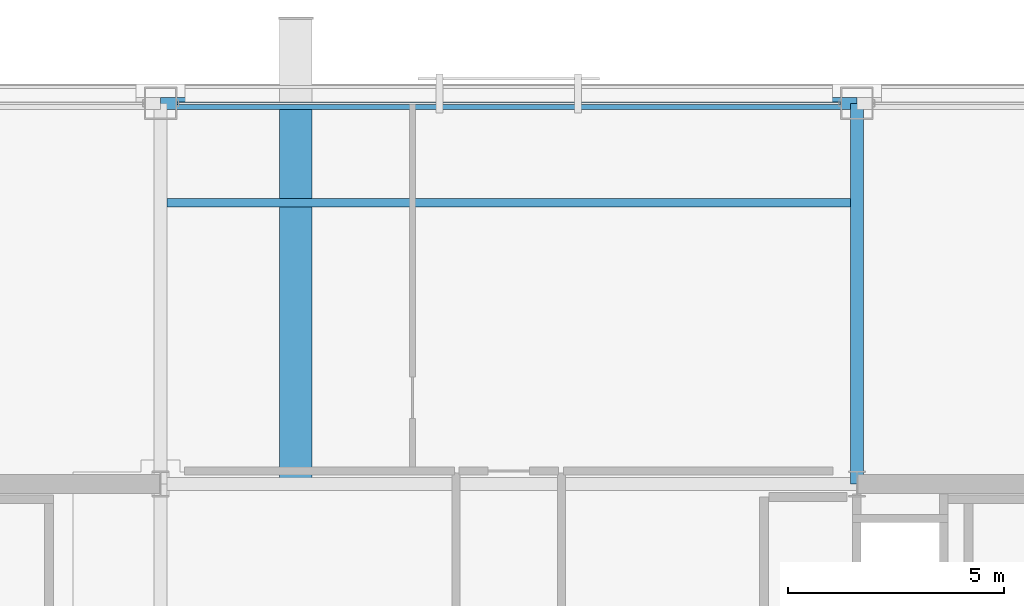
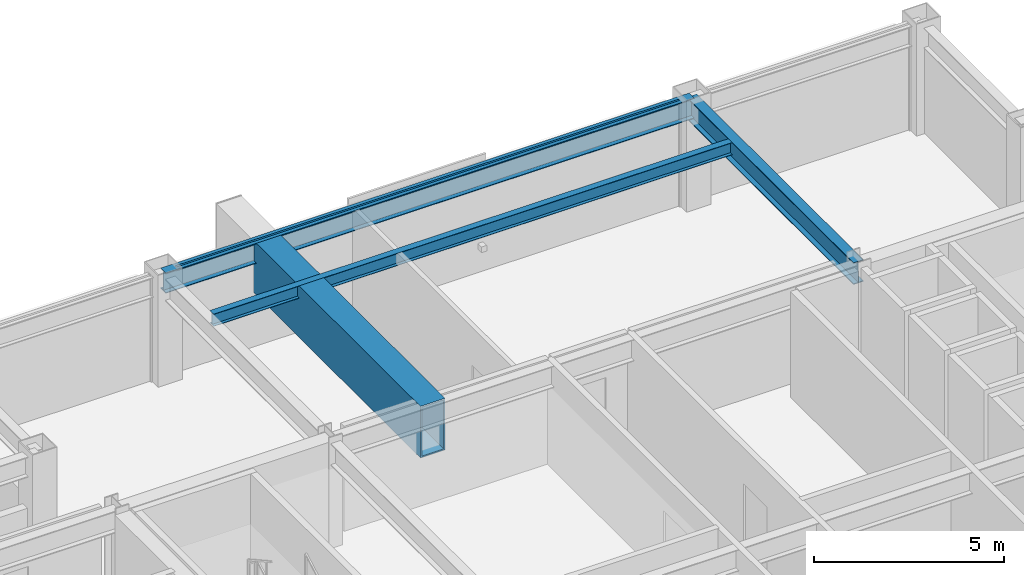
# One storey, part 20 of 28: 4 beams, 1 member, 1 element without a shape of its own.
"""IFC4 building model written with IfcOpenShell, lengths in metres."""

from ifc_helpers import new_model, si_unit, direction, frame, origin, origin_2d, place, context, subcontext, project, spatial, hollow_rectangle, i_section, extrude, material, layer, layer_set, material_profile, profile_set, type_object, element, aggregate, save


model = new_model("IFC4")

# Units and contexts
model_context = context("Model", 3, precision=1e-05, world=origin(), true_north=direction((0.0, 1.0)))
body_context = subcontext(model_context, "Body", "Model", "MODEL_VIEW")
ifc_project = project(units=[si_unit("LENGTHUNIT", "METRE"), si_unit("AREAUNIT", "SQUARE_METRE"), si_unit("VOLUMEUNIT", "CUBIC_METRE"), si_unit("PLANEANGLEUNIT", "RADIAN"), si_unit("MASSUNIT", "GRAM", prefix="KILO")], contexts=[model_context])

# Site, building, storey
site_placement = place(None, origin())
site = spatial("IfcSite", under=ifc_project, at=site_placement, CompositionType="ELEMENT")
building_placement = place(site_placement, origin())
building = spatial("IfcBuilding", under=site, at=building_placement, Name="Brelmoor Portico Tower", CompositionType="ELEMENT")
storey_placement = place(building_placement, frame((0.0, 0.0, 155.10009765625)))
storey = spatial("IfcBuildingStorey", under=building, at=storey_placement, Name="L40", CompositionType="ELEMENT", Elevation=155.10009765625)

# Beams
ifc_material_1 = material(Name="Steel Q355B", Category="steel")
ifc_material_profile_1 = material_profile(ifc_material_1, i_section(OverallWidth=0.199951171875, OverallDepth=0.39990234375, WebThickness=0.008056640625, FlangeThickness=0.012939453125, at=origin_2d()), Name="HN 400x200x8x13")
ifc_profile_set_1 = profile_set([ifc_material_profile_1], Name="Steel Q355B")
beam_type_1 = type_object("IfcBeamType", Name="BM-JS-400", PredefinedType="JOIST", material=ifc_profile_set_1)
beam_1_placement = place(storey_placement, frame((-7.89990234375, 16.25, 3.199951171875), z_axis=(1.0, 0.0, 0.0), x_axis=(0.0, 1.0, 0.0)))
element("IfcBeam", 1, at=beam_1_placement, inside=storey, type_object=beam_type_1, Name="L40 Secondary Composite Joist JS-C02", PredefinedType="JOIST", context=body_context, shape_type="SweptSolid", body=[
    extrude(i_section(OverallWidth=0.199951171875, OverallDepth=0.39990234375, WebThickness=0.008056640625, FlangeThickness=0.012939453125, at=origin_2d()), origin(), (0.0, 0.0, 1.0), 15.7998046875),
])
ifc_material_profile_2 = material_profile(ifc_material_1, i_section(OverallWidth=0.300048828125, OverallDepth=0.699951171875, WebThickness=0.012939453125, FlangeThickness=0.02392578125, at=origin_2d()), Name="HN 700x300x13x24")
ifc_profile_set_2 = profile_set([ifc_material_profile_2], Name="Steel Q355B")
beam_type_2 = type_object("IfcBeamType", Name="BM-PG-700", PredefinedType="BEAM", material=ifc_profile_set_2)
beam_2_placement = place(storey_placement, frame((8.050048828125, 9.75, 3.0498046875), z_axis=(0.0, 1.0, 0.0), x_axis=(-1.0, 0.0, 0.0)))
element("IfcBeam", 2, at=beam_2_placement, inside=storey, type_object=beam_type_2, Name="L40 Primary Floor Girder PG-07", PredefinedType="BEAM", context=body_context, shape_type="SweptSolid", body=[
    extrude(i_section(OverallWidth=0.300048828125, OverallDepth=0.699951171875, WebThickness=0.012939453125, FlangeThickness=0.02392578125, at=origin_2d()), origin(), (0.0, 0.0, 1.0), 8.800048828125),
])
ifc_material_profile_3 = material_profile(ifc_material_1, i_section(OverallWidth=0.280029296875, OverallDepth=0.64990234375, WebThickness=0.012939453125, FlangeThickness=0.02197265625, at=origin_2d()), Name="HN 650x280x13x22")
ifc_profile_set_3 = profile_set([ifc_material_profile_3], Name="Steel Q355B")
beam_type_3 = type_object("IfcBeamType", Name="BM-SP-650", PredefinedType="SPANDREL", material=ifc_profile_set_3)
beam_3_placement = place(storey_placement, frame((-8.050048828125, 18.550048828125, 3.074951171875), z_axis=(1.0, 0.0, 0.0), x_axis=(0.0, 1.0, 0.0)))
element("IfcBeam", 3, at=beam_3_placement, inside=storey, type_object=beam_type_3, Name="L40 Perimeter Spandrel Beam SP-09", PredefinedType="SPANDREL", context=body_context, shape_type="SweptSolid", body=[
    extrude(i_section(OverallWidth=0.280029296875, OverallDepth=0.64990234375, WebThickness=0.012939453125, FlangeThickness=0.02197265625, at=origin_2d()), origin(), (0.0, 0.0, 1.0), 16.10009765625),
])
ifc_material_profile_4 = material_profile(ifc_material_1, hollow_rectangle(XDim=0.75, YDim=1.659912109375, WallThickness=0.0419921875, at=origin_2d()), Name="BOX 750x1660x42")
ifc_profile_set_4 = profile_set([ifc_material_profile_4], Name="Steel Q355B")
beam_type_4 = type_object("IfcBeamType", Name="BM-TG-Z2", PredefinedType="BEAM", material=ifc_profile_set_4)
beam_4_placement = place(storey_placement, frame((-4.919921875, 9.75, 2.56982421875), z_axis=(0.0, 1.0, 0.0), x_axis=(-1.0, 0.0, 0.0)))
element("IfcBeam", 4, at=beam_4_placement, inside=storey, type_object=beam_type_4, Name="L40 Picture-Frame Backspan Transfer Girder PFBS-04", PredefinedType="BEAM", context=body_context, shape_type="SweptSolid", body=[
    extrude(hollow_rectangle(XDim=0.75, YDim=1.659912109375, WallThickness=0.0419921875, at=origin_2d()), origin(), (0.0, 0.0, 1.0), 8.800048828125),
])

# Curtain wall, member
ifc_material_2 = material(Name="Anodised Aluminium Alloy 6063-T6", Category="aluminium")
ifc_layer = layer(ifc_material_2, 0.179931640625)
ifc_layer_set = layer_set([ifc_layer], Name="Anodised Aluminium Alloy 6063-T6")
curtain_wall_type = type_object("IfcCurtainWallType", Name="CW-TOWER-Z3-XB", PredefinedType="NOTDEFINED", material=ifc_layer_set)
curtain_wall_placement = place(storey_placement, origin())
curtain_wall = element("IfcCurtainWall", 5, at=curtain_wall_placement, inside=storey, type_object=curtain_wall_type, Name="L40 Curtain Wall CW-L40-02-2", PredefinedType="NOTDEFINED")
ifc_material_profile_5 = material_profile(ifc_material_2, hollow_rectangle(XDim=0.06005859375, YDim=0.125, WallThickness=0.00341796875, at=origin_2d()), Name="ALU TRANSOM 60x125")
ifc_profile_set_5 = profile_set([ifc_material_profile_5], Name="Anodised Aluminium Alloy 6063-T6")
member_type = type_object("IfcMemberType", Name="MB-CW-TRAN-125", PredefinedType="USERDEFINED", material=ifc_profile_set_5)
member_placement = place(storey_placement, frame((-7.6650390625, 18.550048828125, 3.33740234375), z_axis=(1.0, 0.0, 0.0), x_axis=(0.0, 1.0, 0.0)))
member = element("IfcMember", 6, at=member_placement, type_object=member_type, Name="CW-L40-02-2 Transom 1-00", ObjectType="TRANSOM", PredefinedType="USERDEFINED", context=body_context, shape_type="SweptSolid", body=[
    extrude(hollow_rectangle(XDim=0.06005859375, YDim=0.125, WallThickness=0.00341796875, at=origin_2d()), origin(), (0.0, 0.0, 1.0), 15.330078125),
])
aggregate(curtain_wall, [member])

save(model, "model.ifc")
